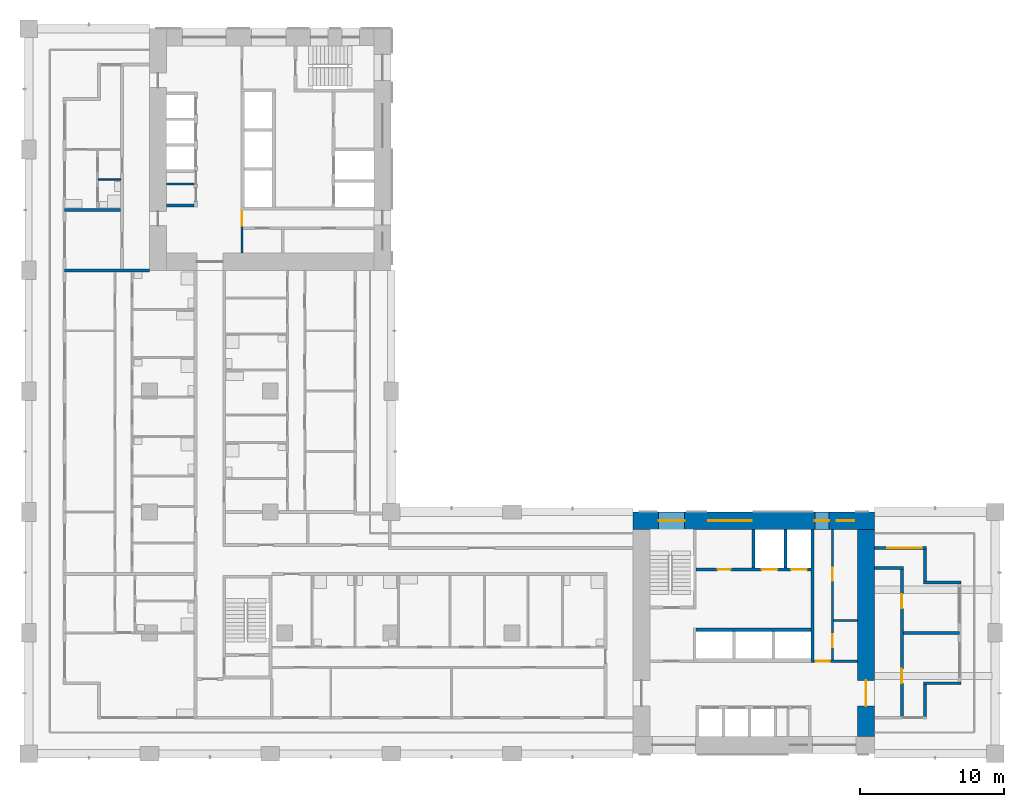
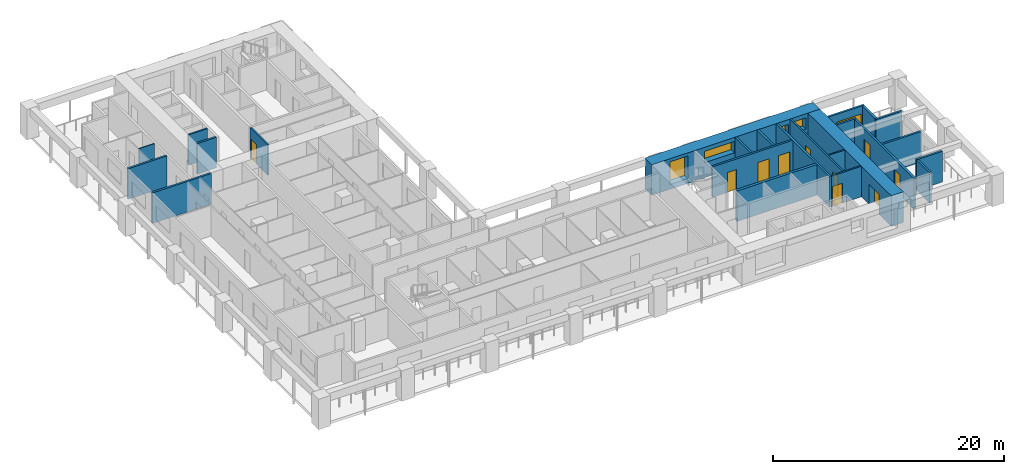
# One storey, part 6 of 16: 24 walls, 10 doors, 5 windows, 15 openings.
"""IFC4 building model written with IfcOpenShell, lengths in metres."""

from ifc_helpers import new_model, si_unit, direction, frame, frame_2d, origin, place, context, subcontext, project, spatial, rectangle, extrude, material, layer, layer_set, type_object, element, fill, save


model = new_model("IFC4")

# Units and contexts
model_context = context("Model", 3, precision=1e-05, world=origin(), true_north=direction((0.0, 1.0)))
body_context = subcontext(model_context, "Body", "Model", "MODEL_VIEW")
ifc_project = project(units=[si_unit("LENGTHUNIT", "METRE"), si_unit("AREAUNIT", "SQUARE_METRE"), si_unit("VOLUMEUNIT", "CUBIC_METRE"), si_unit("PLANEANGLEUNIT", "RADIAN"), si_unit("MASSUNIT", "GRAM", prefix="KILO")], contexts=[model_context])

# Site, building, storey
site_placement = place(None, origin())
site = spatial("IfcSite", under=ifc_project, at=site_placement, CompositionType="ELEMENT")
building_placement = place(site_placement, origin())
building = spatial("IfcBuilding", under=site, at=building_placement, Name="Vermilion Gate Residences", CompositionType="ELEMENT")
storey_placement = place(building_placement, frame((0.0, 0.0, 130.199951171875)))
storey = spatial("IfcBuildingStorey", under=building, at=storey_placement, Name="L33", CompositionType="ELEMENT", Elevation=130.199951171875)

# Wall, opening, door
ifc_material_1 = material(Name="Masonry blockwork", Category="masonry")
ifc_layer_1 = layer(ifc_material_1, 0.14990234375)
ifc_layer_set_1 = layer_set([ifc_layer_1], Name="BLOCKWORK PARTITION 150 EI 120")
wall_type_1 = type_object("IfcWallType", Name="BLOCKWORK PARTITION 150 EI 120", PredefinedType="PARTITIONING", material=ifc_layer_set_1)
wall_1_placement = place(storey_placement, frame((54.60009765625, 14.824951171875, 0.0), z_axis=(0.0, 0.0, 1.0), x_axis=(1.0, 0.0, 0.0)))
wall_1 = element("IfcWall", 1, at=wall_1_placement, inside=storey, type_object=wall_type_1, Name="Core room partition A33-ES-S", PredefinedType="PARTITIONING", context=body_context, shape_type="SweptSolid", body=[
    extrude(rectangle(XDim=3.0, YDim=0.14990234375, at=frame_2d((1.5, 0.0))), origin(), (0.0, 0.0, 1.0), 3.219970703125),
])
opening_1_placement = place(wall_1_placement, frame((0.10009765625, 0.0, 0.0)))
opening_1 = element("IfcOpeningElement", 2, at=opening_1_placement, cuts=wall_1, Name="Opening DK33013", PredefinedType="OPENING", context=body_context, shape_type="SweptSolid", body=[
    extrude(rectangle(XDim=1.0, YDim=2.10009765625, at=frame_2d((0.5, 1.050048828125))), frame((0.0, 0.0849609375, 0.0), z_axis=(0.0, -1.0, 0.0), x_axis=(1.0, 0.0, 0.0)), (0.0, 0.0, 1.0), 0.169921875),
])
ifc_material_2 = material(Name="Steel", Category="steel")
door_type_1 = type_object("IfcDoorType", Name="FIRE DOOR FD60 1000 X 2100", OperationType="SINGLE_SWING_LEFT", PredefinedType="DOOR", material=ifc_material_2)
door_1_placement = place(opening_1_placement, frame((1.0, 0.0, 0.0), z_axis=(0.0, 0.0, 1.0), x_axis=(-1.0, 0.0, 0.0)))
door_1 = element("IfcDoor", 3, at=door_1_placement, inside=storey, type_object=door_type_1, Name="Service corridor door A33", OperationType="SINGLE_SWING_LEFT", OverallHeight=2.10009765625, OverallWidth=1.0, PredefinedType="DOOR", context=body_context, shape_type="SweptSolid", body=[
    extrude(rectangle(XDim=1.0, YDim=2.10009765625, at=frame_2d((0.5, 1.050048828125))), frame((0.0, 0.02490234375, 0.0), z_axis=(0.0, -1.0, 0.0), x_axis=(1.0, 0.0, 0.0)), (0.0, 0.0, 1.0), 0.050048828125),
])
fill(opening_1, door_1)

# Wall
wall_2_placement = place(storey_placement, frame((55.949951171875, 17.659912109375, 0.0), z_axis=(0.0, 0.0, 1.0), x_axis=(1.0, 0.0, 0.0)))
element("IfcWall", 4, at=wall_2_placement, inside=storey, type_object=wall_type_1, Name="Core room partition A33-ES-P0", PredefinedType="PARTITIONING", context=body_context, shape_type="SweptSolid", body=[
    extrude(rectangle(XDim=1.650146484375, YDim=0.14990234375, at=frame_2d((0.8251953125, 0.0))), origin(), (0.0, 0.0, 1.0), 3.219970703125),
])

# Wall, openings, doors
wall_3_placement = place(storey_placement, frame((55.875, 14.89990234375, 0.0), z_axis=(0.0, 0.0, 1.0), x_axis=(0.0, 1.0, 0.0)))
wall_3 = element("IfcWall", 5, at=wall_3_placement, inside=storey, type_object=wall_type_1, Name="Core room partition A33-ES-W", PredefinedType="PARTITIONING", context=body_context, shape_type="SweptSolid", body=[
    extrude(rectangle(XDim=9.10009765625, YDim=0.14990234375, at=frame_2d((4.550048828125, 0.0))), origin(), (0.0, 0.0, 1.0), 3.219970703125),
])
opening_2_placement = place(wall_3_placement, frame((0.892578125, 0.0, 0.0)))
opening_2 = element("IfcOpeningElement", 6, at=opening_2_placement, cuts=wall_3, Name="Opening DK33014", PredefinedType="OPENING", context=body_context, shape_type="SweptSolid", body=[
    extrude(rectangle(XDim=0.89990234375, YDim=2.10009765625, at=frame_2d((0.449951171875, 1.050048828125))), frame((0.0, 0.0849609375, 0.0), z_axis=(0.0, -1.0, 0.0), x_axis=(1.0, 0.0, 0.0)), (0.0, 0.0, 1.0), 0.169921875),
])
opening_3_placement = place(wall_3_placement, frame((5.517578125, 0.0, 0.0)))
opening_3 = element("IfcOpeningElement", 7, at=opening_3_placement, cuts=wall_3, Name="Opening DK33015", PredefinedType="OPENING", context=body_context, shape_type="SweptSolid", body=[
    extrude(rectangle(XDim=0.89990234375, YDim=2.10009765625, at=frame_2d((0.449951171875, 1.050048828125))), frame((0.0, 0.0849609375, 0.0), z_axis=(0.0, -1.0, 0.0), x_axis=(1.0, 0.0, 0.0)), (0.0, 0.0, 1.0), 0.169921875),
])
ifc_material_3 = material(Name="Steel", Category="steel")
door_type_2 = type_object("IfcDoorType", Name="SERVICE ROOM DOOR FD60 900 X 2100", OperationType="SINGLE_SWING_LEFT", PredefinedType="DOOR", material=ifc_material_3)
door_2_placement = place(opening_2_placement, frame((0.89990234375, 0.0, 0.0), z_axis=(0.0, 0.0, 1.0), x_axis=(-1.0, 0.0, 0.0)))
door_2 = element("IfcDoor", 8, at=door_2_placement, inside=storey, type_object=door_type_2, Name="Electrical room A33", OperationType="SINGLE_SWING_RIGHT", OverallHeight=2.10009765625, OverallWidth=0.89990234375, PredefinedType="DOOR", context=body_context, shape_type="SweptSolid", body=[
    extrude(rectangle(XDim=0.89990234375, YDim=2.10009765625, at=frame_2d((0.449951171875, 1.050048828125))), frame((0.0, 0.02490234375, 0.0), z_axis=(0.0, -1.0, 0.0), x_axis=(1.0, 0.0, 0.0)), (0.0, 0.0, 1.0), 0.050048828125),
])
fill(opening_2, door_2)
door_3_placement = place(opening_3_placement, frame((0.89990234375, 0.0, 0.0), z_axis=(0.0, 0.0, 1.0), x_axis=(-1.0, 0.0, 0.0)))
door_3 = element("IfcDoor", 9, at=door_3_placement, inside=storey, type_object=door_type_2, Name="Storage room A33", OperationType="SINGLE_SWING_LEFT", OverallHeight=2.10009765625, OverallWidth=0.89990234375, PredefinedType="DOOR", context=body_context, shape_type="SweptSolid", body=[
    extrude(rectangle(XDim=0.89990234375, YDim=2.10009765625, at=frame_2d((0.449951171875, 1.050048828125))), frame((0.0, 0.02490234375, 0.0), z_axis=(0.0, -1.0, 0.0), x_axis=(1.0, 0.0, 0.0)), (0.0, 0.0, 1.0), 0.050048828125),
])
fill(opening_3, door_3)

# Wall
wall_4_placement = place(storey_placement, frame((9.60009765625, 48.007568359375, 0.0), z_axis=(0.0, 0.0, 1.0), x_axis=(1.0, 0.0, 0.0)))
element("IfcWall", 10, at=wall_4_placement, inside=storey, type_object=wall_type_1, Name="Core room partition B33-SR-P0", PredefinedType="PARTITIONING", context=body_context, shape_type="SweptSolid", body=[
    extrude(rectangle(XDim=1.89990234375, YDim=0.14990234375, at=frame_2d((0.949951171875, 0.0))), origin(), (0.0, 0.0, 1.0), 3.219970703125),
])

# Wall, opening, door
wall_5_placement = place(storey_placement, frame((14.824951171875, 46.199951171875, 0.0), z_axis=(0.0, 0.0, 1.0), x_axis=(0.0, -1.0, 0.0)))
wall_5 = element("IfcWall", 11, at=wall_5_placement, inside=storey, type_object=wall_type_1, Name="Core room partition B33-ES-S", PredefinedType="PARTITIONING", context=body_context, shape_type="SweptSolid", body=[
    extrude(rectangle(XDim=3.0, YDim=0.14990234375, at=frame_2d((1.5, 0.0))), origin(), (0.0, 0.0, 1.0), 3.219970703125),
])
opening_4_placement = place(wall_5_placement, frame((0.10009765625, 0.0, 0.0)))
opening_4 = element("IfcOpeningElement", 12, at=opening_4_placement, cuts=wall_5, Name="Opening DK33114", PredefinedType="OPENING", context=body_context, shape_type="SweptSolid", body=[
    extrude(rectangle(XDim=1.0, YDim=2.10009765625, at=frame_2d((0.5, 1.050048828125))), frame((0.0, 0.0849609375, 0.0), z_axis=(0.0, -1.0, 0.0), x_axis=(1.0, 0.0, 0.0)), (0.0, 0.0, 1.0), 0.169921875),
])
door_4_placement = place(opening_4_placement, frame((1.0, 0.0, 0.0), z_axis=(0.0, 0.0, 1.0), x_axis=(-1.0, 0.0, 0.0)))
door_4 = element("IfcDoor", 13, at=door_4_placement, inside=storey, type_object=door_type_1, Name="Service corridor door B33", OperationType="SINGLE_SWING_LEFT", OverallHeight=2.10009765625, OverallWidth=1.0, PredefinedType="DOOR", context=body_context, shape_type="SweptSolid", body=[
    extrude(rectangle(XDim=1.0, YDim=2.10009765625, at=frame_2d((0.5, 1.050048828125))), frame((0.0, 0.02490234375, 0.0), z_axis=(0.0, -1.0, 0.0), x_axis=(1.0, 0.0, 0.0)), (0.0, 0.0, 1.0), 0.050048828125),
])
fill(opening_4, door_4)

# Walls
ifc_material_4 = material(Name="Insulated steel stud wall with terracotta rainscreen", Category="masonry")
ifc_layer_2 = layer(ifc_material_4, 0.199951171875)
ifc_layer_set_2 = layer_set([ifc_layer_2], Name="EXTERNAL WALL 200 TERRACOTTA RAINSCREEN")
wall_type_2 = type_object("IfcWallType", Name="EXTERNAL WALL 200 TERRACOTTA RAINSCREEN", PredefinedType="SOLIDWALL", material=ifc_layer_set_2)
wall_6_placement = place(storey_placement, frame((62.300048828125, 11.0, 0.0), z_axis=(0.0, 0.0, 1.0), x_axis=(0.0, 1.0, 0.0)))
element("IfcWall", 14, at=wall_6_placement, inside=storey, type_object=wall_type_2, Name="External wall", PredefinedType="SOLIDWALL", context=body_context, shape_type="SweptSolid", body=[
    extrude(rectangle(XDim=2.199951171875, YDim=0.199951171875, at=frame_2d((1.10009765625, 0.0))), origin(), (0.0, 0.0, 1.0), 3.219970703125),
])
for number, where, z_axis, x_axis, name in (
    (15, (62.199951171875, 13.300048828125, 0.0), (0.0, 0.0, 1.0), (1.0, 0.0, 0.0), "External wall"),
    (16, (64.800048828125, 20.300048828125, 0.0), (0.0, 0.0, 1.0), (-1.0, 0.0, 0.0), "External wall"),
):
    element("IfcWall", number, at=place(storey_placement, frame(where, z_axis=z_axis, x_axis=x_axis)), inside=storey, type_object=wall_type_2, Name=name, PredefinedType="SOLIDWALL", context=body_context, shape_type="SweptSolid", body=[
        extrude(rectangle(XDim=2.60009765625, YDim=0.199951171875, at=frame_2d((1.300048828125, 0.0))), origin(), (0.0, 0.0, 1.0), 3.219970703125),
    ])
wall_7_placement = place(storey_placement, frame((62.300048828125, 20.39990234375, 0.0), z_axis=(0.0, 0.0, 1.0), x_axis=(0.0, 1.0, 0.0)))
element("IfcWall", 17, at=wall_7_placement, inside=storey, type_object=wall_type_2, Name="External wall", PredefinedType="SOLIDWALL", context=body_context, shape_type="SweptSolid", body=[
    extrude(rectangle(XDim=2.2001953125, YDim=0.199951171875, at=frame_2d((1.10009765625, 0.0))), origin(), (0.0, 0.0, 1.0), 3.219970703125),
])

# Wall, opening, window
wall_8_placement = place(storey_placement, frame((62.39990234375, 22.699951171875, 0.0), z_axis=(0.0, 0.0, 1.0), x_axis=(-1.0, 0.0, 0.0)))
wall_8 = element("IfcWall", 18, at=wall_8_placement, inside=storey, type_object=wall_type_2, Name="External wall", PredefinedType="SOLIDWALL", context=body_context, shape_type="SweptSolid", body=[
    extrude(rectangle(XDim=3.599853515625, YDim=0.199951171875, at=frame_2d((1.7998046875, 0.0))), origin(), (0.0, 0.0, 1.0), 3.219970703125),
])
opening_5_placement = place(wall_8_placement, frame((0.300048828125, 0.0, 0.89990234375)))
opening_5 = element("IfcOpeningElement", 19, at=opening_5_placement, cuts=wall_8, Name="Opening WE33023", PredefinedType="OPENING", context=body_context, shape_type="SweptSolid", body=[
    extrude(rectangle(XDim=2.39990234375, YDim=1.5, at=frame_2d((1.199951171875, 0.75))), frame((0.0, 0.10986328125, 0.0), z_axis=(0.0, -1.0, 0.0), x_axis=(1.0, 0.0, 0.0)), (0.0, 0.0, 1.0), 0.219970703125),
])
ifc_material_5 = material(Name="Aluminium and clear glass", Category="aluminium")
window_type_1 = type_object("IfcWindowType", Name="WINDOW 2400 X 1500", PartitioningType="SINGLE_PANEL", PredefinedType="WINDOW", material=ifc_material_5)
window_1_placement = place(opening_5_placement, origin())
window_1 = element("IfcWindow", 20, at=window_1_placement, inside=storey, type_object=window_type_1, Name="Window", OverallHeight=1.5, OverallWidth=2.39990234375, PartitioningType="SINGLE_PANEL", PredefinedType="WINDOW", context=body_context, shape_type="SweptSolid", body=[
    extrude(rectangle(XDim=2.39990234375, YDim=1.5, at=frame_2d((1.199951171875, 0.75))), frame((0.0, 0.030029296875, 0.0), z_axis=(0.0, -1.0, 0.0), x_axis=(1.0, 0.0, 0.0)), (0.0, 0.0, 1.0), 0.06005859375),
])
fill(opening_5, window_1)

# Walls
ifc_material_6 = material(Name="Plasterboard on steel studs", Category="steel")
ifc_layer_3 = layer(ifc_material_6, 0.10009765625)
ifc_layer_set_3 = layer_set([ifc_layer_3], Name="PARTITION 100")
wall_type_3 = type_object("IfcWallType", Name="PARTITION 100", PredefinedType="PARTITIONING", material=ifc_layer_set_3)
wall_9_placement = place(storey_placement, frame((4.85009765625, 48.300048828125, 0.0), z_axis=(0.0, 0.0, 1.0), x_axis=(1.0, 0.0, 0.0)))
element("IfcWall", 21, at=wall_9_placement, inside=storey, type_object=wall_type_3, Name="Partition", PredefinedType="PARTITIONING", context=body_context, shape_type="SweptSolid", body=[
    extrude(rectangle(XDim=1.5498046875, YDim=0.10009765625, at=frame_2d((0.77490234375, 0.0))), origin(), (0.0, 0.0, 1.0), 3.219970703125),
])
ifc_material_7 = material(Name="Fire-rated plasterboard on steel studs", Category="steel")
ifc_layer_4 = layer(ifc_material_7, 0.199951171875)
ifc_layer_set_4 = layer_set([ifc_layer_4], Name="PARTY WALL 200 EI 120")
wall_type_4 = type_object("IfcWallType", Name="PARTY WALL 200 EI 120", PredefinedType="PARTITIONING", material=ifc_layer_set_4)
wall_10_placement = place(storey_placement, frame((60.800048828125, 16.800048828125, 0.0), z_axis=(0.0, 0.0, 1.0), x_axis=(1.0, 0.0, 0.0)))
element("IfcWall", 22, at=wall_10_placement, inside=storey, type_object=wall_type_4, Name="Party and corridor wall", PredefinedType="PARTITIONING", context=body_context, shape_type="SweptSolid", body=[
    extrude(rectangle(XDim=3.89990234375, YDim=0.199951171875, at=frame_2d((1.949951171875, 0.0))), origin(), (0.0, 0.0, 1.0), 3.219970703125),
])
wall_11_placement = place(storey_placement, frame((58.800048828125, 21.300048828125, 0.0), z_axis=(0.0, 0.0, 1.0), x_axis=(1.0, 0.0, 0.0)))
element("IfcWall", 23, at=wall_11_placement, inside=storey, type_object=wall_type_4, Name="Party and corridor wall", PredefinedType="PARTITIONING", context=body_context, shape_type="SweptSolid", body=[
    extrude(rectangle(XDim=2.0, YDim=0.199951171875, at=frame_2d((1.0, 0.0))), origin(), (0.0, 0.0, 1.0), 3.219970703125),
])
wall_12_placement = place(storey_placement, frame((2.5, 42.0, 0.0), z_axis=(0.0, 0.0, 1.0), x_axis=(1.0, 0.0, 0.0)))
element("IfcWall", 24, at=wall_12_placement, inside=storey, type_object=wall_type_4, Name="Party and corridor wall", PredefinedType="PARTITIONING", context=body_context, shape_type="SweptSolid", body=[
    extrude(rectangle(XDim=5.89990234375, YDim=0.199951171875, at=frame_2d((2.949951171875, 0.0))), origin(), (0.0, 0.0, 1.0), 3.219970703125),
])
wall_13_placement = place(storey_placement, frame((2.5, 46.199951171875, 0.0), z_axis=(0.0, 0.0, 1.0), x_axis=(1.0, 0.0, 0.0)))
element("IfcWall", 25, at=wall_13_placement, inside=storey, type_object=wall_type_4, Name="Party and corridor wall", PredefinedType="PARTITIONING", context=body_context, shape_type="SweptSolid", body=[
    extrude(rectangle(XDim=3.89990234375, YDim=0.199951171875, at=frame_2d((1.949951171875, 0.0))), origin(), (0.0, 0.0, 1.0), 3.219970703125),
])

# Wall, openings, doors
wall_14_placement = place(storey_placement, frame((60.699951171875, 10.89990234375, 0.0), z_axis=(0.0, 0.0, 1.0), x_axis=(0.0, 1.0, 0.0)))
wall_14 = element("IfcWall", 26, at=wall_14_placement, inside=storey, type_object=wall_type_4, Name="Party and corridor wall", PredefinedType="PARTITIONING", context=body_context, shape_type="SweptSolid", body=[
    extrude(rectangle(XDim=10.300048828125, YDim=0.199951171875, at=frame_2d((5.14990234375, 0.0))), origin(), (0.0, 0.0, 1.0), 3.219970703125),
])
opening_6_placement = place(wall_14_placement, frame((2.39990234375, 0.0, 0.0)))
opening_6 = element("IfcOpeningElement", 27, at=opening_6_placement, cuts=wall_14, Name="Opening DA32051", PredefinedType="OPENING", context=body_context, shape_type="SweptSolid", body=[
    extrude(rectangle(XDim=1.0, YDim=2.10009765625, at=frame_2d((0.5, 1.050048828125))), frame((0.0, 0.10986328125, 0.0), z_axis=(0.0, -1.0, 0.0), x_axis=(1.0, 0.0, 0.0)), (0.0, 0.0, 1.0), 0.219970703125),
])
opening_7_placement = place(wall_14_placement, frame((7.60009765625, 0.0, 0.0)))
opening_7 = element("IfcOpeningElement", 28, at=opening_7_placement, cuts=wall_14, Name="Opening DA32052", PredefinedType="OPENING", context=body_context, shape_type="SweptSolid", body=[
    extrude(rectangle(XDim=1.0, YDim=2.10009765625, at=frame_2d((0.5, 1.050048828125))), frame((0.0, 0.10986328125, 0.0), z_axis=(0.0, -1.0, 0.0), x_axis=(1.0, 0.0, 0.0)), (0.0, 0.0, 1.0), 0.219970703125),
])
ifc_material_8 = material(Name="Steel", Category="steel")
door_type_3 = type_object("IfcDoorType", Name="ENTRANCE DOOR 1000 X 2100 FD30", OperationType="SINGLE_SWING_LEFT", PredefinedType="DOOR", material=ifc_material_8)
door_5_placement = place(opening_6_placement, frame((1.0, 0.0, 0.0), z_axis=(0.0, 0.0, 1.0), x_axis=(-1.0, 0.0, 0.0)))
door_5 = element("IfcDoor", 29, at=door_5_placement, inside=storey, type_object=door_type_3, Name="Entrance door", OperationType="SINGLE_SWING_RIGHT", OverallHeight=2.10009765625, OverallWidth=1.0, PredefinedType="DOOR", context=body_context, shape_type="SweptSolid", body=[
    extrude(rectangle(XDim=1.0, YDim=2.10009765625, at=frame_2d((0.5, 1.050048828125))), frame((0.0, 0.02490234375, 0.0), z_axis=(0.0, -1.0, 0.0), x_axis=(1.0, 0.0, 0.0)), (0.0, 0.0, 1.0), 0.050048828125),
])
fill(opening_6, door_5)
door_6_placement = place(opening_7_placement, frame((1.0, 0.0, 0.0), z_axis=(0.0, 0.0, 1.0), x_axis=(-1.0, 0.0, 0.0)))
door_6 = element("IfcDoor", 30, at=door_6_placement, inside=storey, type_object=door_type_3, Name="Entrance door", OperationType="SINGLE_SWING_RIGHT", OverallHeight=2.10009765625, OverallWidth=1.0, PredefinedType="DOOR", context=body_context, shape_type="SweptSolid", body=[
    extrude(rectangle(XDim=1.0, YDim=2.10009765625, at=frame_2d((0.5, 1.050048828125))), frame((0.0, 0.02490234375, 0.0), z_axis=(0.0, -1.0, 0.0), x_axis=(1.0, 0.0, 0.0)), (0.0, 0.0, 1.0), 0.050048828125),
])
fill(opening_7, door_6)

# Walls
ifc_material_9 = material(Name="Concrete C60", Category="concrete")
ifc_layer_5 = layer(ifc_material_9, 0.199951171875)
ifc_layer_set_5 = layer_set([ifc_layer_5], Name="RC CORE INTERNAL WALL 200 C60")
wall_type_5 = type_object("IfcWallType", Name="RC CORE INTERNAL WALL 200 C60", PredefinedType="SHEAR", material=ifc_layer_set_5)
for number, where, z_axis, x_axis, name in (
    (31, (50.39990234375, 21.300048828125, 0.0), (0.0, 0.0, 1.0), (0.0, 1.0, 0.0), "Core internal wall A33-FF-D0"),
    (32, (52.60009765625, 21.300048828125, 0.0), (0.0, 0.0, 1.0), (0.0, 1.0, 0.0), "Core internal wall A33-FF-D1"),
):
    element("IfcWall", number, at=place(storey_placement, frame(where, z_axis=z_axis, x_axis=x_axis)), inside=storey, type_object=wall_type_5, Name=name, PredefinedType="SHEAR", context=body_context, shape_type="SweptSolid", body=[
        extrude(rectangle(XDim=2.699951171875, YDim=0.199951171875, at=frame_2d((1.35009765625, 0.0))), origin(), (0.0, 0.0, 1.0), 3.219970703125),
    ])

# Wall, openings, doors
wall_15_placement = place(storey_placement, frame((46.39990234375, 21.199951171875, 0.0), z_axis=(0.0, 0.0, 1.0), x_axis=(1.0, 0.0, 0.0)))
wall_15 = element("IfcWall", 33, at=wall_15_placement, inside=storey, type_object=wall_type_5, Name="Core internal wall A33-FF-F", PredefinedType="SHEAR", context=body_context, shape_type="SweptSolid", body=[
    extrude(rectangle(XDim=8.0, YDim=0.199951171875, at=frame_2d((4.0, 0.0))), origin(), (0.0, 0.0, 1.0), 3.219970703125),
])
opening_8_placement = place(wall_15_placement, frame((1.5, 0.0, 0.0)))
opening_8 = element("IfcOpeningElement", 34, at=opening_8_placement, cuts=wall_15, Name="Opening DK33008", PredefinedType="OPENING", context=body_context, shape_type="SweptSolid", body=[
    extrude(rectangle(XDim=0.89990234375, YDim=2.10009765625, at=frame_2d((0.449951171875, 1.050048828125))), frame((0.0, 0.10986328125, 0.0), z_axis=(0.0, -1.0, 0.0), x_axis=(1.0, 0.0, 0.0)), (0.0, 0.0, 1.0), 0.219970703125),
])
opening_9_placement = place(wall_15_placement, frame((4.550048828125, 0.0, 0.0)))
opening_9 = element("IfcOpeningElement", 35, at=opening_9_placement, cuts=wall_15, Name="Opening LD", PredefinedType="OPENING", context=body_context, shape_type="SweptSolid", body=[
    extrude(rectangle(XDim=1.10009765625, YDim=2.10009765625, at=frame_2d((0.550048828125, 1.050048828125))), frame((0.0, 0.10986328125, 0.0), z_axis=(0.0, -1.0, 0.0), x_axis=(1.0, 0.0, 0.0)), (0.0, 0.0, 1.0), 0.219970703125),
])
opening_10_placement = place(wall_15_placement, frame((6.60009765625, 0.0, 0.0)))
opening_10 = element("IfcOpeningElement", 36, at=opening_10_placement, cuts=wall_15, Name="Opening LD", PredefinedType="OPENING", context=body_context, shape_type="SweptSolid", body=[
    extrude(rectangle(XDim=1.10009765625, YDim=2.10009765625, at=frame_2d((0.550048828125, 1.050048828125))), frame((0.0, 0.10986328125, 0.0), z_axis=(0.0, -1.0, 0.0), x_axis=(1.0, 0.0, 0.0)), (0.0, 0.0, 1.0), 0.219970703125),
])
ifc_material_10 = material(Name="Stainless steel", Category="steel")
door_type_4 = type_object("IfcDoorType", Name="LIFT LANDING DOOR E60 1100 X 2100", OperationType="DOUBLE_DOOR_SLIDING", PredefinedType="DOOR", material=ifc_material_10)
door_7_placement = place(opening_9_placement, origin())
door_7 = element("IfcDoor", 37, at=door_7_placement, inside=storey, type_object=door_type_4, Name="Lift landing door LFA1", OperationType="DOUBLE_DOOR_SLIDING", OverallHeight=2.10009765625, OverallWidth=1.10009765625, PredefinedType="DOOR", context=body_context, shape_type="SweptSolid", body=[
    extrude(rectangle(XDim=1.10009765625, YDim=2.10009765625, at=frame_2d((0.550048828125, 1.050048828125))), frame((0.0, 0.02490234375, 0.0), z_axis=(0.0, -1.0, 0.0), x_axis=(1.0, 0.0, 0.0)), (0.0, 0.0, 1.0), 0.050048828125),
])
fill(opening_9, door_7)
door_8_placement = place(opening_10_placement, origin())
door_8 = element("IfcDoor", 38, at=door_8_placement, inside=storey, type_object=door_type_4, Name="Lift landing door LCA1", OperationType="DOUBLE_DOOR_SLIDING", OverallHeight=2.10009765625, OverallWidth=1.10009765625, PredefinedType="DOOR", context=body_context, shape_type="SweptSolid", body=[
    extrude(rectangle(XDim=1.10009765625, YDim=2.10009765625, at=frame_2d((0.550048828125, 1.050048828125))), frame((0.0, 0.02490234375, 0.0), z_axis=(0.0, -1.0, 0.0), x_axis=(1.0, 0.0, 0.0)), (0.0, 0.0, 1.0), 0.050048828125),
])
fill(opening_10, door_8)
door_9_placement = place(opening_8_placement, origin())
door_9 = element("IfcDoor", 39, at=door_9_placement, inside=storey, type_object=door_type_2, Name="Parcel room A33", OperationType="SINGLE_SWING_LEFT", OverallHeight=2.10009765625, OverallWidth=0.89990234375, PredefinedType="DOOR", context=body_context, shape_type="SweptSolid", body=[
    extrude(rectangle(XDim=0.89990234375, YDim=2.10009765625, at=frame_2d((0.449951171875, 1.050048828125))), frame((0.0, 0.02490234375, 0.0), z_axis=(0.0, -1.0, 0.0), x_axis=(1.0, 0.0, 0.0)), (0.0, 0.0, 1.0), 0.050048828125),
])
fill(opening_8, door_9)

# Walls
wall_16_placement = place(storey_placement, frame((54.5, 14.75, 0.0), z_axis=(0.0, 0.0, 1.0), x_axis=(0.0, 1.0, 0.0)))
element("IfcWall", 40, at=wall_16_placement, inside=storey, type_object=wall_type_5, Name="Core internal wall A33-EDIV", PredefinedType="SHEAR", context=body_context, shape_type="SweptSolid", body=[
    extrude(rectangle(XDim=9.25, YDim=0.199951171875, at=frame_2d((4.625, 0.0))), origin(), (0.0, 0.0, 1.0), 3.219970703125),
])
wall_17_placement = place(storey_placement, frame((9.60009765625, 46.5, 0.0), z_axis=(0.0, 0.0, 1.0), x_axis=(1.0, 0.0, 0.0)))
element("IfcWall", 41, at=wall_17_placement, inside=storey, type_object=wall_type_5, Name="Core internal wall B33-LR-DE", PredefinedType="SHEAR", context=body_context, shape_type="SweptSolid", body=[
    extrude(rectangle(XDim=1.89990234375, YDim=0.199951171875, at=frame_2d((0.949951171875, 0.0))), origin(), (0.0, 0.0, 1.0), 3.219970703125),
])

# Wall, opening, door
ifc_material_11 = material(Name="Concrete C70", Category="concrete")
ifc_layer_6 = layer(ifc_material_11, 1.199951171875)
ifc_layer_set_6 = layer_set([ifc_layer_6], Name="RC CORE WALL 1200 C70")
wall_type_6 = type_object("IfcWallType", Name="RC CORE WALL 1200 C70", PredefinedType="SHEAR", material=ifc_layer_set_6)
wall_18_placement = place(storey_placement, frame((58.199951171875, 9.60009765625, 0.0), z_axis=(0.0, 0.0, 1.0), x_axis=(0.0, 1.0, 0.0)))
wall_18 = element("IfcWall", 42, at=wall_18_placement, inside=storey, type_object=wall_type_6, Name="Core wall A33-OUT-BK", PredefinedType="SHEAR", context=body_context, shape_type="SweptSolid", body=[
    extrude(rectangle(XDim=14.39990234375, YDim=1.199951171875, at=frame_2d((7.199951171875, 0.0))), origin(), (0.0, 0.0, 1.0), 3.219970703125),
])
opening_11_placement = place(wall_18_placement, frame((2.10009765625, 0.0, 0.0)))
opening_11 = element("IfcOpeningElement", 43, at=opening_11_placement, cuts=wall_18, Name="Opening DK33002", PredefinedType="OPENING", context=body_context, shape_type="SweptSolid", body=[
    extrude(rectangle(XDim=1.800048828125, YDim=2.10009765625, at=frame_2d((0.89990234375, 1.050048828125))), frame((0.0, 0.60986328125, 0.0), z_axis=(0.0, -1.0, 0.0), x_axis=(1.0, 0.0, 0.0)), (0.0, 0.0, 1.0), 1.219970703125),
])
ifc_material_12 = material(Name="Steel", Category="steel")
door_type_5 = type_object("IfcDoorType", Name="CORE LOBBY DOOR FD60 1800 X 2100", OperationType="DOUBLE_DOOR_SINGLE_SWING", PredefinedType="DOOR", material=ifc_material_12)
door_10_placement = place(opening_11_placement, origin())
door_10 = element("IfcDoor", 44, at=door_10_placement, inside=storey, type_object=door_type_5, Name="Core lobby door A33", OperationType="DOUBLE_DOOR_SINGLE_SWING", OverallHeight=2.10009765625, OverallWidth=1.800048828125, PredefinedType="DOOR", context=body_context, shape_type="SweptSolid", body=[
    extrude(rectangle(XDim=1.800048828125, YDim=2.10009765625, at=frame_2d((0.89990234375, 1.050048828125))), frame((0.0, 0.02490234375, 0.0), z_axis=(0.0, -1.0, 0.0), x_axis=(1.0, 0.0, 0.0)), (0.0, 0.0, 1.0), 0.050048828125),
])
fill(opening_11, door_10)

# Wall, openings, windows
ifc_material_13 = material(Name="Concrete C70 red-oxide pigmented", Category="concrete")
ifc_layer_7 = layer(ifc_material_13, 1.199951171875)
ifc_layer_set_7 = layer_set([ifc_layer_7], Name="RC CORE WALL 1200 C70 RED OXIDE")
wall_type_7 = type_object("IfcWallType", Name="RC CORE WALL 1200 C70 RED OXIDE", PredefinedType="SHEAR", material=ifc_layer_set_7)
wall_19_placement = place(storey_placement, frame((42.0, 24.60009765625, 0.0), z_axis=(0.0, 0.0, 1.0), x_axis=(1.0, 0.0, 0.0)))
wall_19 = element("IfcWall", 45, at=wall_19_placement, inside=storey, type_object=wall_type_7, Name="Core wall A33-OUT-B1", PredefinedType="SHEAR", context=body_context, shape_type="SweptSolid", body=[
    extrude(rectangle(XDim=16.800048828125, YDim=1.199951171875, at=frame_2d((8.39990234375, 0.0))), origin(), (0.0, 0.0, 1.0), 3.219970703125),
])
opening_12_placement = place(wall_19_placement, frame((1.800048828125, 0.0, 0.5)))
opening_12 = element("IfcOpeningElement", 46, at=opening_12_placement, cuts=wall_19, Name="Opening WKA3304", PredefinedType="OPENING", context=body_context, shape_type="SweptSolid", body=[
    extrude(rectangle(XDim=1.800048828125, YDim=2.39990234375, at=frame_2d((0.89990234375, 1.199951171875))), frame((0.0, 0.60986328125, 0.0), z_axis=(0.0, -1.0, 0.0), x_axis=(1.0, 0.0, 0.0)), (0.0, 0.0, 1.0), 1.219970703125),
])
opening_13_placement = place(wall_19_placement, frame((5.25, 0.0, 1.60009765625)))
opening_13 = element("IfcOpeningElement", 47, at=opening_13_placement, cuts=wall_19, Name="Opening WKA3305", PredefinedType="OPENING", context=body_context, shape_type="SweptSolid", body=[
    extrude(rectangle(XDim=3.0, YDim=1.199951171875, at=frame_2d((1.5, 0.60009765625))), frame((0.0, 0.60986328125, 0.0), z_axis=(0.0, -1.0, 0.0), x_axis=(1.0, 0.0, 0.0)), (0.0, 0.0, 1.0), 1.219970703125),
])
opening_14_placement = place(wall_19_placement, frame((12.64990234375, 0.0, 0.60009765625)))
opening_14 = element("IfcOpeningElement", 48, at=opening_14_placement, cuts=wall_19, Name="Opening WKA3306", PredefinedType="OPENING", context=body_context, shape_type="SweptSolid", body=[
    extrude(rectangle(XDim=1.0, YDim=2.10009765625, at=frame_2d((0.5, 1.050048828125))), frame((0.0, 0.60986328125, 0.0), z_axis=(0.0, -1.0, 0.0), x_axis=(1.0, 0.0, 0.0)), (0.0, 0.0, 1.0), 1.219970703125),
])
opening_15_placement = place(wall_19_placement, frame((14.175048828125, 0.0, 1.60009765625)))
opening_15 = element("IfcOpeningElement", 49, at=opening_15_placement, cuts=wall_19, Name="Opening WKA3307", PredefinedType="OPENING", context=body_context, shape_type="SweptSolid", body=[
    extrude(rectangle(XDim=1.199951171875, YDim=1.199951171875, at=frame_2d((0.60009765625, 0.60009765625))), frame((0.0, 0.60986328125, 0.0), z_axis=(0.0, -1.0, 0.0), x_axis=(1.0, 0.0, 0.0)), (0.0, 0.0, 1.0), 1.219970703125),
])
ifc_material_14 = material(Name="Aluminium and clear glass", Category="aluminium")
window_type_2 = type_object("IfcWindowType", Name="CORE CORRIDOR WINDOW 1000 X 2100", PartitioningType="SINGLE_PANEL", PredefinedType="WINDOW", material=ifc_material_14)
window_2_placement = place(opening_14_placement, origin())
window_2 = element("IfcWindow", 50, at=window_2_placement, inside=storey, type_object=window_type_2, Name="Core corridor window", OverallHeight=2.10009765625, OverallWidth=1.0, PartitioningType="SINGLE_PANEL", PredefinedType="WINDOW", context=body_context, shape_type="SweptSolid", body=[
    extrude(rectangle(XDim=1.0, YDim=2.10009765625, at=frame_2d((0.5, 1.050048828125))), frame((0.0, 0.030029296875, 0.0), z_axis=(0.0, -1.0, 0.0), x_axis=(1.0, 0.0, 0.0)), (0.0, 0.0, 1.0), 0.06005859375),
])
fill(opening_14, window_2)
ifc_material_15 = material(Name="Aluminium frame with louvre blades", Category="aluminium")
window_type_3 = type_object("IfcWindowType", Name="CORE LOUVRE 1200 X 1200", PartitioningType="SINGLE_PANEL", PredefinedType="WINDOW", material=ifc_material_15)
window_3_placement = place(opening_15_placement, origin())
window_3 = element("IfcWindow", 51, at=window_3_placement, inside=storey, type_object=window_type_3, Name="Core louvre", OverallHeight=1.199951171875, OverallWidth=1.199951171875, PartitioningType="SINGLE_PANEL", PredefinedType="WINDOW", context=body_context, shape_type="SweptSolid", body=[
    extrude(rectangle(XDim=1.199951171875, YDim=1.199951171875, at=frame_2d((0.60009765625, 0.60009765625))), frame((0.0, 0.030029296875, 0.0), z_axis=(0.0, -1.0, 0.0), x_axis=(1.0, 0.0, 0.0)), (0.0, 0.0, 1.0), 0.06005859375),
])
fill(opening_15, window_3)
ifc_material_16 = material(Name="Aluminium frame with louvre blades", Category="aluminium")
window_type_4 = type_object("IfcWindowType", Name="CORE LOUVRE 3000 X 1200", PartitioningType="SINGLE_PANEL", PredefinedType="WINDOW", material=ifc_material_16)
window_4_placement = place(opening_13_placement, origin())
window_4 = element("IfcWindow", 52, at=window_4_placement, inside=storey, type_object=window_type_4, Name="Core louvre", OverallHeight=1.199951171875, OverallWidth=3.0, PartitioningType="SINGLE_PANEL", PredefinedType="WINDOW", context=body_context, shape_type="SweptSolid", body=[
    extrude(rectangle(XDim=3.0, YDim=1.199951171875, at=frame_2d((1.5, 0.60009765625))), frame((0.0, 0.030029296875, 0.0), z_axis=(0.0, -1.0, 0.0), x_axis=(1.0, 0.0, 0.0)), (0.0, 0.0, 1.0), 0.06005859375),
])
fill(opening_13, window_4)
ifc_material_17 = material(Name="Aluminium and clear glass", Category="aluminium")
window_type_5 = type_object("IfcWindowType", Name="CORE STAIR WINDOW 1800 X 2400", PartitioningType="SINGLE_PANEL", PredefinedType="WINDOW", material=ifc_material_17)
window_5_placement = place(opening_12_placement, origin())
window_5 = element("IfcWindow", 53, at=window_5_placement, inside=storey, type_object=window_type_5, Name="Core stair window", OverallHeight=2.39990234375, OverallWidth=1.800048828125, PartitioningType="SINGLE_PANEL", PredefinedType="WINDOW", context=body_context, shape_type="SweptSolid", body=[
    extrude(rectangle(XDim=1.800048828125, YDim=2.39990234375, at=frame_2d((0.89990234375, 1.199951171875))), frame((0.0, 0.030029296875, 0.0), z_axis=(0.0, -1.0, 0.0), x_axis=(1.0, 0.0, 0.0)), (0.0, 0.0, 1.0), 0.06005859375),
])
fill(opening_12, window_5)

# Wall
ifc_material_18 = material(Name="Concrete C60", Category="concrete")
ifc_layer_8 = layer(ifc_material_18, 0.25)
ifc_layer_set_8 = layer_set([ifc_layer_8], Name="RC LIFT SHAFT WALL 250 C60")
wall_type_8 = type_object("IfcWallType", Name="RC LIFT SHAFT WALL 250 C60", PredefinedType="SHEAR", material=ifc_layer_set_8)
wall_20_placement = place(storey_placement, frame((46.39990234375, 17.02490234375, 0.0), z_axis=(0.0, 0.0, 1.0), x_axis=(1.0, 0.0, 0.0)))
element("IfcWall", 54, at=wall_20_placement, inside=storey, type_object=wall_type_8, Name="Lift shaft wall A33-HR-B", PredefinedType="SHEAR", context=body_context, shape_type="SweptSolid", body=[
    extrude(rectangle(XDim=8.0, YDim=0.25, at=frame_2d((4.0, 0.0))), origin(), (0.0, 0.0, 1.0), 3.219970703125),
])

save(model, "model.ifc")
